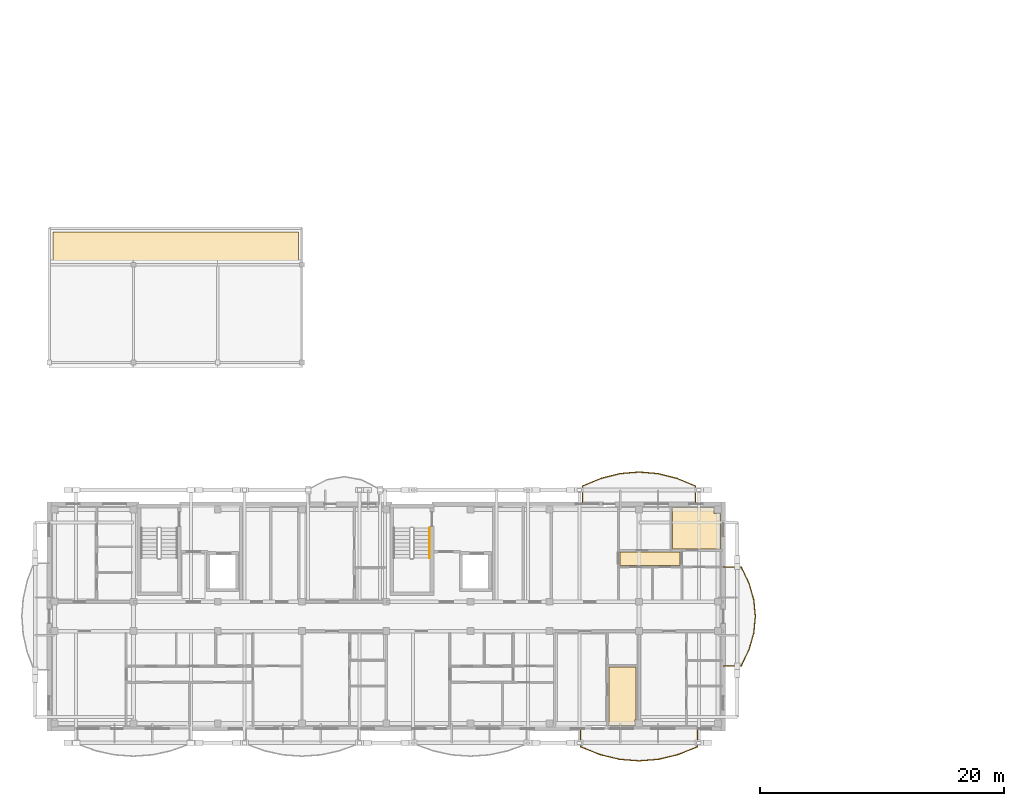
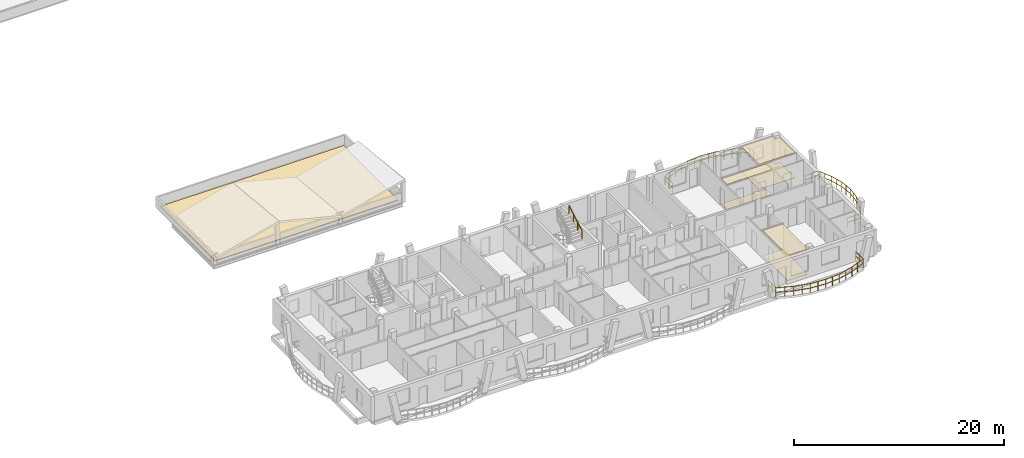
# One storey, part 41 of 50: 7 coverings, 4 railings.
"""IFC4 building model written with IfcOpenShell, lengths in metres."""

from ifc_helpers import new_model, si_unit, direction, frame, origin, origin_2d, place, context, subcontext, project, spatial, polyline, rectangle, outline, extrude, material, layer, layer_set, type_object, element, save


model = new_model("IFC4")

# Units and contexts
model_context = context("Model", 3, precision=1e-05, world=origin(), true_north=direction((0.0, 1.0)))
body_context = subcontext(model_context, "Body", "Model", "MODEL_VIEW")
ifc_project = project(units=[si_unit("LENGTHUNIT", "METRE"), si_unit("AREAUNIT", "SQUARE_METRE"), si_unit("VOLUMEUNIT", "CUBIC_METRE"), si_unit("PLANEANGLEUNIT", "RADIAN"), si_unit("MASSUNIT", "GRAM", prefix="KILO")], contexts=[model_context])

# Site, building, storey
site_placement = place(None, origin())
site = spatial("IfcSite", under=ifc_project, at=site_placement, CompositionType="ELEMENT")
building_placement = place(site_placement, origin())
building = spatial("IfcBuilding", under=site, at=building_placement, Name="Zavelmont Quarter", CompositionType="ELEMENT")
storey_placement = place(building_placement, frame((0.0, 0.0, 11.199951171875)))
storey = spatial("IfcBuildingStorey", under=building, at=storey_placement, Name="L03", CompositionType="ELEMENT", Elevation=11.199951171875)

# Coverings
ifc_material_1 = material(Name="Perforated acoustic gypsum board")
ifc_layer_1 = layer(ifc_material_1, 0.02490234375)
ifc_layer_set_1 = layer_set([ifc_layer_1], Name="Perforated acoustic gypsum board")
covering_type_1 = type_object("IfcCoveringType", Name="CV-CL01", PredefinedType="CEILING", material=ifc_layer_set_1)
covering_1_placement = place(storey_placement, frame((0.0, 0.0, 2.9150390625)))
element("IfcCovering", 1, at=covering_1_placement, inside=storey, type_object=covering_type_1, Name="L03 Reading Alcove acoustic ceiling", PredefinedType="CEILING", context=body_context, shape_type="SweptSolid", body=[
    extrude(outline(polyline([(45.830078125, 5.070068359375), (48.070068359375, 5.070068359375), (48.070068359375, 0.7548828125), (47.985107421875, 0.7548828125), (47.985107421875, 0.280029296875), (45.830078125, 0.280029296875), (45.830078125, 5.070068359375)])), origin(), (0.0, 0.0, 1.0), 0.02490234375),
])
covering_2_placement = place(storey_placement, frame((0.0, 0.0, 2.9150390625)))
element("IfcCovering", 2, at=covering_2_placement, inside=storey, type_object=covering_type_1, Name="L03 Double Bedroom acoustic ceiling", PredefinedType="CEILING", context=body_context, shape_type="SweptSolid", body=[
    extrude(outline(polyline([(51.030029296875, 18.1201171875), (54.445068359375, 18.1201171875), (54.445068359375, 17.64501953125), (54.969970703125, 17.64501953125), (54.969970703125, 14.72998046875), (51.030029296875, 14.72998046875), (51.030029296875, 18.1201171875)])), origin(), (0.0, 0.0, 1.0), 0.02490234375),
])
ifc_material_2 = material(Name="Slatted European ash acoustic baffle ceiling")
ifc_layer_2 = layer(ifc_material_2, 0.0400390625)
ifc_layer_set_2 = layer_set([ifc_layer_2], Name="Slatted European ash acoustic baffle ceiling")
covering_type_2 = type_object("IfcCoveringType", Name="CV-CL02", PredefinedType="CEILING", material=ifc_layer_set_2)
covering_3_placement = place(storey_placement, frame((0.0, 0.0, 2.900146484375)))
element("IfcCovering", 3, at=covering_3_placement, inside=storey, type_object=covering_type_2, Name="L03 Apartment Hall acoustic ceiling", PredefinedType="CEILING", context=body_context, shape_type="SweptSolid", body=[
    extrude(outline(polyline([(46.72998046875, 14.469970703125), (51.669921875, 14.469970703125), (51.669921875, 13.3798828125), (46.72998046875, 13.3798828125), (46.72998046875, 14.469970703125)])), origin(), (0.0, 0.0, 1.0), 0.039794921875),
])
ifc_material_3 = material(Name="Engineered European oak parquet")
ifc_layer_3 = layer(ifc_material_3, 0.02197265625)
ifc_layer_set_3 = layer_set([ifc_layer_3], Name="Engineered European oak parquet")
covering_type_3 = type_object("IfcCoveringType", Name="CV-FL01", PredefinedType="FLOORING", material=ifc_layer_set_3)
covering_4_placement = place(storey_placement, origin())
element("IfcCovering", 4, at=covering_4_placement, inside=storey, type_object=covering_type_3, Name="L03 Reading Alcove floor finish", PredefinedType="FLOORING", context=body_context, shape_type="SweptSolid", body=[
    extrude(outline(polyline([(45.830078125, 5.070068359375), (48.070068359375, 5.070068359375), (48.070068359375, 0.7548828125), (47.985107421875, 0.7548828125), (47.985107421875, 0.280029296875), (45.830078125, 0.280029296875), (45.830078125, 5.070068359375)])), origin(), (0.0, 0.0, 1.0), 0.02197265625),
])
covering_5_placement = place(storey_placement, origin())
element("IfcCovering", 5, at=covering_5_placement, inside=storey, type_object=covering_type_3, Name="L03 Double Bedroom floor finish", PredefinedType="FLOORING", context=body_context, shape_type="SweptSolid", body=[
    extrude(outline(polyline([(51.030029296875, 18.1201171875), (54.445068359375, 18.1201171875), (54.445068359375, 17.64501953125), (54.969970703125, 17.64501953125), (54.969970703125, 14.72998046875), (51.030029296875, 14.72998046875), (51.030029296875, 18.1201171875)])), origin(), (0.0, 0.0, 1.0), 0.02197265625),
])
ifc_material_4 = material(Name="Honed Belgian bluestone tile", Category="masonry")
ifc_layer_4 = layer(ifc_material_4, 0.030029296875)
ifc_layer_set_4 = layer_set([ifc_layer_4], Name="Honed Belgian bluestone tile")
covering_type_4 = type_object("IfcCoveringType", Name="CV-FL02", PredefinedType="FLOORING", material=ifc_layer_set_4)
covering_6_placement = place(storey_placement, origin())
element("IfcCovering", 6, at=covering_6_placement, inside=storey, type_object=covering_type_4, Name="L03 Apartment Hall floor finish", PredefinedType="FLOORING", context=body_context, shape_type="SweptSolid", body=[
    extrude(outline(polyline([(46.72998046875, 14.469970703125), (51.669921875, 14.469970703125), (51.669921875, 13.3798828125), (46.72998046875, 13.3798828125), (46.72998046875, 14.469970703125)])), origin(), (0.0, 0.0, 1.0), 0.030029296875),
])
ifc_material_5 = material(Name="EPDM waterproofing membrane and mineral insulation")
ifc_layer_5 = layer(ifc_material_5, 0.094970703125)
ifc_layer_set_5 = layer_set([ifc_layer_5], Name="EPDM waterproofing membrane and mineral insulation")
covering_type_5 = type_object("IfcCoveringType", Name="CV-RF04", PredefinedType="ROOFING", material=ifc_layer_set_5)
covering_7_placement = place(storey_placement, origin())
element("IfcCovering", 7, at=covering_7_placement, inside=storey, type_object=covering_type_5, Name="L03 roof build-up CV-RF04", PredefinedType="ROOFING", context=body_context, shape_type="SweptSolid", body=[
    extrude(outline(polyline([(0.300048828125, 30.300048828125), (20.39990234375, 30.300048828125), (20.39990234375, 40.699951171875), (0.300048828125, 40.699951171875), (0.300048828125, 30.300048828125)])), origin(), (0.0, 0.0, 1.0), 0.094970703125),
])

# Railings
ifc_material_6 = material(Name="Powder-coated steel and tempered double safety glass", Category="steel")
railing_type_1 = type_object("IfcRailingType", Name="RL-BAL1", PredefinedType="BALUSTRADE", material=ifc_material_6)
railing_1_placement = place(storey_placement, frame((43.5078125, -0.02001953125, 0.0)))
element("IfcRailing", 8, at=railing_1_placement, inside=storey, type_object=railing_type_1, Name="L03 Block A curved balcony guard RL-BAL1", PredefinedType="BALUSTRADE", context=body_context, shape_type="SweptSolid", body=[
    extrude(rectangle(XDim=0.048095703125, YDim=0.048095703125, at=origin_2d()), frame((0.0, 0.0, 1.076171875), z_axis=(0.0, -1.0, 0.0), x_axis=(1.0, 0.0, 0.0)), (0.0, 0.0, 1.0), 1.453857421875),
    extrude(rectangle(XDim=0.048095703125, YDim=0.048095703125, at=origin_2d()), frame((0.0, 0.0, 0.550048828125), z_axis=(0.0, -1.0, 0.0), x_axis=(1.0, 0.0, 0.0)), (0.0, 0.0, 1.0), 1.453857421875),
    extrude(rectangle(XDim=0.048095703125, YDim=0.048095703125, at=origin_2d()), frame((0.0, -1.453857421875, 1.076171875), z_axis=(0.92758417707, -0.373614232128, 0.0), x_axis=(0.373614232128, 0.92758417707, 0.0)), (0.0, 0.0, 1.0), 1.721923828125),
    extrude(rectangle(XDim=0.048095703125, YDim=0.048095703125, at=origin_2d()), frame((0.0, -1.453857421875, 0.550048828125), z_axis=(0.92758417707, -0.373614232128, 0.0), x_axis=(0.373614232128, 0.92758417707, 0.0)), (0.0, 0.0, 1.0), 1.721923828125),
    extrude(rectangle(XDim=0.048095703125, YDim=0.048095703125, at=origin_2d()), frame((1.59716796875, -2.09716796875, 1.076171875), z_axis=(0.972000372905, -0.234979307753, 0.0), x_axis=(0.234979307753, 0.972000372905, 0.0)), (0.0, 0.0, 1.0), 1.643798828125),
    extrude(rectangle(XDim=0.048095703125, YDim=0.048095703125, at=origin_2d()), frame((1.59716796875, -2.09716796875, 0.550048828125), z_axis=(0.972000372905, -0.234979307753, 0.0), x_axis=(0.234979307753, 0.972000372905, 0.0)), (0.0, 0.0, 1.0), 1.643798828125),
    extrude(rectangle(XDim=0.048095703125, YDim=0.048095703125, at=origin_2d()), frame((3.19482421875, -2.4833984375, 1.076171875), z_axis=(0.996772021854, -0.080284098352, 0.0), x_axis=(0.080284098352, 0.996772021854, 0.0)), (0.0, 0.0, 1.0), 1.6025390625),
    extrude(rectangle(XDim=0.048095703125, YDim=0.048095703125, at=origin_2d()), frame((3.19482421875, -2.4833984375, 0.550048828125), z_axis=(0.996772021854, -0.080284098352, 0.0), x_axis=(0.080284098352, 0.996772021854, 0.0)), (0.0, 0.0, 1.0), 1.6025390625),
    extrude(rectangle(XDim=0.048095703125, YDim=0.048095703125, at=origin_2d()), frame((4.792236328125, -2.612060546875, 1.076171875), z_axis=(0.996772021854, 0.080284098352, 0.0), x_axis=(-0.080284098352, 0.996772021854, 0.0)), (0.0, 0.0, 1.0), 1.6025390625),
    extrude(rectangle(XDim=0.048095703125, YDim=0.048095703125, at=origin_2d()), frame((4.792236328125, -2.612060546875, 0.550048828125), z_axis=(0.996772021854, 0.080284098352, 0.0), x_axis=(-0.080284098352, 0.996772021854, 0.0)), (0.0, 0.0, 1.0), 1.6025390625),
    extrude(rectangle(XDim=0.048095703125, YDim=0.048095703125, at=origin_2d()), frame((6.3896484375, -2.4833984375, 1.076171875), z_axis=(0.971992169835, 0.235013237457, 0.0), x_axis=(-0.235013237457, 0.971992169835, 0.0)), (0.0, 0.0, 1.0), 1.6435546875),
    extrude(rectangle(XDim=0.048095703125, YDim=0.048095703125, at=origin_2d()), frame((6.3896484375, -2.4833984375, 0.550048828125), z_axis=(0.971992169835, 0.235013237457, 0.0), x_axis=(-0.235013237457, 0.971992169835, 0.0)), (0.0, 0.0, 1.0), 1.6435546875),
    extrude(rectangle(XDim=0.048095703125, YDim=0.048095703125, at=origin_2d()), frame((7.987060546875, -2.09716796875, 1.076171875), z_axis=(0.927603965163, 0.373565099833, 0.0), x_axis=(-0.373565099833, 0.927603965163, 0.0)), (0.0, 0.0, 1.0), 1.72216796875),
    extrude(rectangle(XDim=0.048095703125, YDim=0.048095703125, at=origin_2d()), frame((7.987060546875, -2.09716796875, 0.550048828125), z_axis=(0.927603965163, 0.373565099833, 0.0), x_axis=(-0.373565099833, 0.927603965163, 0.0)), (0.0, 0.0, 1.0), 1.72216796875),
    extrude(rectangle(XDim=0.048095703125, YDim=0.048095703125, at=origin_2d()), frame((9.58447265625, -1.453857421875, 1.076171875), z_axis=(0.0, 1.0, 0.0), x_axis=(-1.0, 0.0, 0.0)), (0.0, 0.0, 1.0), 1.453857421875),
    extrude(rectangle(XDim=0.048095703125, YDim=0.048095703125, at=origin_2d()), frame((9.58447265625, -1.453857421875, 0.550048828125), z_axis=(0.0, 1.0, 0.0), x_axis=(-1.0, 0.0, 0.0)), (0.0, 0.0, 1.0), 1.453857421875),
    extrude(rectangle(XDim=0.0419921875, YDim=0.0419921875, at=origin_2d()), origin(), (0.0, 0.0, 1.0), 1.052001953125),
    extrude(rectangle(XDim=0.0419921875, YDim=0.0419921875, at=origin_2d()), frame((0.0, -0.72705078125, 0.0)), (0.0, 0.0, 1.0), 1.052001953125),
    extrude(rectangle(XDim=0.0419921875, YDim=0.0419921875, at=origin_2d()), frame((0.0, -1.453857421875, 0.0)), (0.0, 0.0, 1.0), 1.052001953125),
    extrude(rectangle(XDim=0.0419921875, YDim=0.0419921875, at=origin_2d()), frame((0.798583984375, -1.775390625, 0.0)), (0.0, 0.0, 1.0), 1.052001953125),
    extrude(rectangle(XDim=0.0419921875, YDim=0.0419921875, at=origin_2d()), frame((1.59716796875, -2.09716796875, 0.0)), (0.0, 0.0, 1.0), 1.052001953125),
    extrude(rectangle(XDim=0.0419921875, YDim=0.0419921875, at=origin_2d()), frame((2.39599609375, -2.290283203125, 0.0)), (0.0, 0.0, 1.0), 1.052001953125),
    extrude(rectangle(XDim=0.0419921875, YDim=0.0419921875, at=origin_2d()), frame((3.19482421875, -2.4833984375, 0.0)), (0.0, 0.0, 1.0), 1.052001953125),
    extrude(rectangle(XDim=0.0419921875, YDim=0.0419921875, at=origin_2d()), frame((3.99365234375, -2.5478515625, 0.0)), (0.0, 0.0, 1.0), 1.052001953125),
    extrude(rectangle(XDim=0.0419921875, YDim=0.0419921875, at=origin_2d()), frame((4.792236328125, -2.612060546875, 0.0)), (0.0, 0.0, 1.0), 1.052001953125),
    extrude(rectangle(XDim=0.0419921875, YDim=0.0419921875, at=origin_2d()), frame((5.5908203125, -2.5478515625, 0.0)), (0.0, 0.0, 1.0), 1.052001953125),
    extrude(rectangle(XDim=0.0419921875, YDim=0.0419921875, at=origin_2d()), frame((6.3896484375, -2.4833984375, 0.0)), (0.0, 0.0, 1.0), 1.052001953125),
    extrude(rectangle(XDim=0.0419921875, YDim=0.0419921875, at=origin_2d()), frame((7.1884765625, -2.290283203125, 0.0)), (0.0, 0.0, 1.0), 1.052001953125),
    extrude(rectangle(XDim=0.0419921875, YDim=0.0419921875, at=origin_2d()), frame((7.987060546875, -2.09716796875, 0.0)), (0.0, 0.0, 1.0), 1.052001953125),
    extrude(rectangle(XDim=0.0419921875, YDim=0.0419921875, at=origin_2d()), frame((8.78564453125, -1.775390625, 0.0)), (0.0, 0.0, 1.0), 1.052001953125),
    extrude(rectangle(XDim=0.0419921875, YDim=0.0419921875, at=origin_2d()), frame((9.58447265625, -1.453857421875, 0.0)), (0.0, 0.0, 1.0), 1.052001953125),
    extrude(rectangle(XDim=0.0419921875, YDim=0.0419921875, at=origin_2d()), frame((9.58447265625, -0.72705078125, 0.0)), (0.0, 0.0, 1.0), 1.052001953125),
    extrude(rectangle(XDim=0.0419921875, YDim=0.0419921875, at=origin_2d()), frame((9.58447265625, 0.0, 0.0)), (0.0, 0.0, 1.0), 1.052001953125),
])
railing_2_placement = place(storey_placement, frame((55.219970703125, 5.14892578125, 0.0)))
element("IfcRailing", 9, at=railing_2_placement, inside=storey, type_object=railing_type_1, Name="L03 Block A curved balcony guard RL-BAL1", PredefinedType="BALUSTRADE", context=body_context, shape_type="SweptSolid", body=[
    extrude(rectangle(XDim=0.048095703125, YDim=0.048095703125, at=origin_2d()), frame((0.0, 0.0, 1.076171875), z_axis=(1.0, 0.0, 0.0), x_axis=(0.0, 1.0, 0.0)), (0.0, 0.0, 1.0), 1.453857421875),
    extrude(rectangle(XDim=0.048095703125, YDim=0.048095703125, at=origin_2d()), frame((0.0, 0.0, 0.550048828125), z_axis=(1.0, 0.0, 0.0), x_axis=(0.0, 1.0, 0.0)), (0.0, 0.0, 1.0), 1.453857421875),
    extrude(rectangle(XDim=0.048095703125, YDim=0.048095703125, at=origin_2d()), frame((1.453857421875, 0.0, 1.076171875), z_axis=(0.430224985195, 0.902721696933, 0.0), x_axis=(-0.902721696933, 0.430224985195, 0.0)), (0.0, 0.0, 1.0), 1.495849609375),
    extrude(rectangle(XDim=0.048095703125, YDim=0.048095703125, at=origin_2d()), frame((1.453857421875, 0.0, 0.550048828125), z_axis=(0.430224985195, 0.902721696933, 0.0), x_axis=(-0.902721696933, 0.430224985195, 0.0)), (0.0, 0.0, 1.0), 1.495849609375),
    extrude(rectangle(XDim=0.048095703125, YDim=0.048095703125, at=origin_2d()), frame((2.097412109375, 1.350341796875, 1.076171875), z_axis=(0.274835923802, 0.961491141398, 0.0), x_axis=(-0.961491141398, 0.274835923802, 0.0)), (0.0, 0.0, 1.0), 1.404541015625),
    extrude(rectangle(XDim=0.048095703125, YDim=0.048095703125, at=origin_2d()), frame((2.097412109375, 1.350341796875, 0.550048828125), z_axis=(0.274835923802, 0.961491141398, 0.0), x_axis=(-0.961491141398, 0.274835923802, 0.0)), (0.0, 0.0, 1.0), 1.404541015625),
    extrude(rectangle(XDim=0.048095703125, YDim=0.048095703125, at=origin_2d()), frame((2.4833984375, 2.70068359375, 1.076171875), z_axis=(0.094851560673, 0.995491427104, 0.0), x_axis=(-0.995491427104, 0.094851560673, 0.0)), (0.0, 0.0, 1.0), 1.3564453125),
    extrude(rectangle(XDim=0.048095703125, YDim=0.048095703125, at=origin_2d()), frame((2.4833984375, 2.70068359375, 0.550048828125), z_axis=(0.094851560673, 0.995491427104, 0.0), x_axis=(-0.995491427104, 0.094851560673, 0.0)), (0.0, 0.0, 1.0), 1.3564453125),
    extrude(rectangle(XDim=0.048095703125, YDim=0.048095703125, at=origin_2d()), frame((2.612060546875, 4.051025390625, 1.076171875), z_axis=(-0.094851560673, 0.995491427104, 0.0), x_axis=(-0.995491427104, -0.094851560673, 0.0)), (0.0, 0.0, 1.0), 1.3564453125),
    extrude(rectangle(XDim=0.048095703125, YDim=0.048095703125, at=origin_2d()), frame((2.612060546875, 4.051025390625, 0.550048828125), z_axis=(-0.094851560673, 0.995491427104, 0.0), x_axis=(-0.995491427104, -0.094851560673, 0.0)), (0.0, 0.0, 1.0), 1.3564453125),
    extrude(rectangle(XDim=0.048095703125, YDim=0.048095703125, at=origin_2d()), frame((2.4833984375, 5.4013671875, 1.076171875), z_axis=(-0.274835923802, 0.961491141398, 0.0), x_axis=(-0.961491141398, -0.274835923802, 0.0)), (0.0, 0.0, 1.0), 1.404541015625),
    extrude(rectangle(XDim=0.048095703125, YDim=0.048095703125, at=origin_2d()), frame((2.4833984375, 5.4013671875, 0.550048828125), z_axis=(-0.274835923802, 0.961491141398, 0.0), x_axis=(-0.961491141398, -0.274835923802, 0.0)), (0.0, 0.0, 1.0), 1.404541015625),
    extrude(rectangle(XDim=0.048095703125, YDim=0.048095703125, at=origin_2d()), frame((2.097412109375, 6.751708984375, 1.076171875), z_axis=(-0.430224985195, 0.902721696933, 0.0), x_axis=(-0.902721696933, -0.430224985195, 0.0)), (0.0, 0.0, 1.0), 1.495849609375),
    extrude(rectangle(XDim=0.048095703125, YDim=0.048095703125, at=origin_2d()), frame((2.097412109375, 6.751708984375, 0.550048828125), z_axis=(-0.430224985195, 0.902721696933, 0.0), x_axis=(-0.902721696933, -0.430224985195, 0.0)), (0.0, 0.0, 1.0), 1.495849609375),
    extrude(rectangle(XDim=0.048095703125, YDim=0.048095703125, at=origin_2d()), frame((1.453857421875, 8.10205078125, 1.076171875), z_axis=(-1.0, 0.0, 0.0), x_axis=(0.0, -1.0, 0.0)), (0.0, 0.0, 1.0), 1.453857421875),
    extrude(rectangle(XDim=0.048095703125, YDim=0.048095703125, at=origin_2d()), frame((1.453857421875, 8.10205078125, 0.550048828125), z_axis=(-1.0, 0.0, 0.0), x_axis=(0.0, -1.0, 0.0)), (0.0, 0.0, 1.0), 1.453857421875),
    extrude(rectangle(XDim=0.0419921875, YDim=0.0419921875, at=origin_2d()), origin(), (0.0, 0.0, 1.0), 1.052001953125),
    extrude(rectangle(XDim=0.0419921875, YDim=0.0419921875, at=origin_2d()), frame((0.72705078125, 0.0, 0.0)), (0.0, 0.0, 1.0), 1.052001953125),
    extrude(rectangle(XDim=0.0419921875, YDim=0.0419921875, at=origin_2d()), frame((1.453857421875, 0.0, 0.0)), (0.0, 0.0, 1.0), 1.052001953125),
    extrude(rectangle(XDim=0.0419921875, YDim=0.0419921875, at=origin_2d()), frame((1.775634765625, 0.67529296875, 0.0)), (0.0, 0.0, 1.0), 1.052001953125),
    extrude(rectangle(XDim=0.0419921875, YDim=0.0419921875, at=origin_2d()), frame((2.097412109375, 1.350341796875, 0.0)), (0.0, 0.0, 1.0), 1.052001953125),
    extrude(rectangle(XDim=0.0419921875, YDim=0.0419921875, at=origin_2d()), frame((2.29052734375, 2.025390625, 0.0)), (0.0, 0.0, 1.0), 1.052001953125),
    extrude(rectangle(XDim=0.0419921875, YDim=0.0419921875, at=origin_2d()), frame((2.4833984375, 2.70068359375, 0.0)), (0.0, 0.0, 1.0), 1.052001953125),
    extrude(rectangle(XDim=0.0419921875, YDim=0.0419921875, at=origin_2d()), frame((2.5478515625, 3.3759765625, 0.0)), (0.0, 0.0, 1.0), 1.052001953125),
    extrude(rectangle(XDim=0.0419921875, YDim=0.0419921875, at=origin_2d()), frame((2.612060546875, 4.051025390625, 0.0)), (0.0, 0.0, 1.0), 1.052001953125),
    extrude(rectangle(XDim=0.0419921875, YDim=0.0419921875, at=origin_2d()), frame((2.5478515625, 4.72607421875, 0.0)), (0.0, 0.0, 1.0), 1.052001953125),
    extrude(rectangle(XDim=0.0419921875, YDim=0.0419921875, at=origin_2d()), frame((2.4833984375, 5.4013671875, 0.0)), (0.0, 0.0, 1.0), 1.052001953125),
    extrude(rectangle(XDim=0.0419921875, YDim=0.0419921875, at=origin_2d()), frame((2.29052734375, 6.07666015625, 0.0)), (0.0, 0.0, 1.0), 1.052001953125),
    extrude(rectangle(XDim=0.0419921875, YDim=0.0419921875, at=origin_2d()), frame((2.097412109375, 6.751708984375, 0.0)), (0.0, 0.0, 1.0), 1.052001953125),
    extrude(rectangle(XDim=0.0419921875, YDim=0.0419921875, at=origin_2d()), frame((1.775634765625, 7.4267578125, 0.0)), (0.0, 0.0, 1.0), 1.052001953125),
    extrude(rectangle(XDim=0.0419921875, YDim=0.0419921875, at=origin_2d()), frame((1.453857421875, 8.10205078125, 0.0)), (0.0, 0.0, 1.0), 1.052001953125),
    extrude(rectangle(XDim=0.0419921875, YDim=0.0419921875, at=origin_2d()), frame((0.72705078125, 8.10205078125, 0.0)), (0.0, 0.0, 1.0), 1.052001953125),
    extrude(rectangle(XDim=0.0419921875, YDim=0.0419921875, at=origin_2d()), frame((0.0, 8.10205078125, 0.0)), (0.0, 0.0, 1.0), 1.052001953125),
])
railing_3_placement = place(storey_placement, frame((52.938720703125, 18.419921875, 0.0)))
element("IfcRailing", 10, at=railing_3_placement, inside=storey, type_object=railing_type_1, Name="L03 Block A curved balcony guard RL-BAL1", PredefinedType="BALUSTRADE", context=body_context, shape_type="SweptSolid", body=[
    extrude(rectangle(XDim=0.048095703125, YDim=0.048095703125, at=origin_2d()), frame((0.0, 0.0, 1.076171875), z_axis=(0.0, 1.0, 0.0), x_axis=(-1.0, 0.0, 0.0)), (0.0, 0.0, 1.0), 1.453857421875),
    extrude(rectangle(XDim=0.048095703125, YDim=0.048095703125, at=origin_2d()), frame((0.0, 0.0, 0.550048828125), z_axis=(0.0, 1.0, 0.0), x_axis=(-1.0, 0.0, 0.0)), (0.0, 0.0, 1.0), 1.453857421875),
    extrude(rectangle(XDim=0.048095703125, YDim=0.048095703125, at=origin_2d()), frame((0.0, 1.453857421875, 1.076171875), z_axis=(-0.923219188604, 0.384273769329, 0.0), x_axis=(-0.384273769329, -0.923219188604, 0.0)), (0.0, 0.0, 1.0), 1.6748046875),
    extrude(rectangle(XDim=0.048095703125, YDim=0.048095703125, at=origin_2d()), frame((0.0, 1.453857421875, 0.550048828125), z_axis=(-0.923219188604, 0.384273769329, 0.0), x_axis=(-0.384273769329, -0.923219188604, 0.0)), (0.0, 0.0, 1.0), 1.6748046875),
    extrude(rectangle(XDim=0.048095703125, YDim=0.048095703125, at=origin_2d()), frame((-1.546142578125, 2.097412109375, 1.076171875), z_axis=(-0.970232538188, 0.242175188329, 0.0), x_axis=(-0.242175188329, -0.970232538188, 0.0)), (0.0, 0.0, 1.0), 1.59375),
    extrude(rectangle(XDim=0.048095703125, YDim=0.048095703125, at=origin_2d()), frame((-1.546142578125, 2.097412109375, 0.550048828125), z_axis=(-0.970232538188, 0.242175188329, 0.0), x_axis=(-0.242175188329, -0.970232538188, 0.0)), (0.0, 0.0, 1.0), 1.59375),
    extrude(rectangle(XDim=0.048095703125, YDim=0.048095703125, at=origin_2d()), frame((-3.092529296875, 2.4833984375, 1.076171875), z_axis=(-0.996555518472, 0.082928273841, 0.0), x_axis=(-0.082928273841, -0.996555518472, 0.0)), (0.0, 0.0, 1.0), 1.551513671875),
    extrude(rectangle(XDim=0.048095703125, YDim=0.048095703125, at=origin_2d()), frame((-3.092529296875, 2.4833984375, 0.550048828125), z_axis=(-0.996555518472, 0.082928273841, 0.0), x_axis=(-0.082928273841, -0.996555518472, 0.0)), (0.0, 0.0, 1.0), 1.551513671875),
    extrude(rectangle(XDim=0.048095703125, YDim=0.048095703125, at=origin_2d()), frame((-4.638671875, 2.612060546875, 1.076171875), z_axis=(-0.996556600392, -0.082915271299, 0.0), x_axis=(0.082915271299, -0.996556600392, 0.0)), (0.0, 0.0, 1.0), 1.5517578125),
    extrude(rectangle(XDim=0.048095703125, YDim=0.048095703125, at=origin_2d()), frame((-4.638671875, 2.612060546875, 0.550048828125), z_axis=(-0.996556600392, -0.082915271299, 0.0), x_axis=(0.082915271299, -0.996556600392, 0.0)), (0.0, 0.0, 1.0), 1.5517578125),
    extrude(rectangle(XDim=0.048095703125, YDim=0.048095703125, at=origin_2d()), frame((-6.18505859375, 2.4833984375, 1.076171875), z_axis=(-0.970223552447, -0.242211185286, 0.0), x_axis=(0.242211185286, -0.970223552447, 0.0)), (0.0, 0.0, 1.0), 1.593505859375),
    extrude(rectangle(XDim=0.048095703125, YDim=0.048095703125, at=origin_2d()), frame((-6.18505859375, 2.4833984375, 0.550048828125), z_axis=(-0.970223552447, -0.242211185286, 0.0), x_axis=(0.242211185286, -0.970223552447, 0.0)), (0.0, 0.0, 1.0), 1.593505859375),
    extrude(rectangle(XDim=0.048095703125, YDim=0.048095703125, at=origin_2d()), frame((-7.731201171875, 2.097412109375, 1.076171875), z_axis=(-0.923240710927, -0.384222057784, 0.0), x_axis=(0.384222057784, -0.923240710927, 0.0)), (0.0, 0.0, 1.0), 1.675048828125),
    extrude(rectangle(XDim=0.048095703125, YDim=0.048095703125, at=origin_2d()), frame((-7.731201171875, 2.097412109375, 0.550048828125), z_axis=(-0.923240710927, -0.384222057784, 0.0), x_axis=(0.384222057784, -0.923240710927, 0.0)), (0.0, 0.0, 1.0), 1.675048828125),
    extrude(rectangle(XDim=0.048095703125, YDim=0.048095703125, at=origin_2d()), frame((-9.277587890625, 1.453857421875, 1.076171875), z_axis=(0.0, -1.0, 0.0), x_axis=(1.0, 0.0, 0.0)), (0.0, 0.0, 1.0), 1.453857421875),
    extrude(rectangle(XDim=0.048095703125, YDim=0.048095703125, at=origin_2d()), frame((-9.277587890625, 1.453857421875, 0.550048828125), z_axis=(0.0, -1.0, 0.0), x_axis=(1.0, 0.0, 0.0)), (0.0, 0.0, 1.0), 1.453857421875),
    extrude(rectangle(XDim=0.0419921875, YDim=0.0419921875, at=origin_2d()), origin(), (0.0, 0.0, 1.0), 1.052001953125),
    extrude(rectangle(XDim=0.0419921875, YDim=0.0419921875, at=origin_2d()), frame((0.0, 0.72705078125, 0.0)), (0.0, 0.0, 1.0), 1.052001953125),
    extrude(rectangle(XDim=0.0419921875, YDim=0.0419921875, at=origin_2d()), frame((0.0, 1.453857421875, 0.0)), (0.0, 0.0, 1.0), 1.052001953125),
    extrude(rectangle(XDim=0.0419921875, YDim=0.0419921875, at=origin_2d()), frame((-0.77294921875, 1.775634765625, 0.0)), (0.0, 0.0, 1.0), 1.052001953125),
    extrude(rectangle(XDim=0.0419921875, YDim=0.0419921875, at=origin_2d()), frame((-1.546142578125, 2.097412109375, 0.0)), (0.0, 0.0, 1.0), 1.052001953125),
    extrude(rectangle(XDim=0.0419921875, YDim=0.0419921875, at=origin_2d()), frame((-2.3193359375, 2.29052734375, 0.0)), (0.0, 0.0, 1.0), 1.052001953125),
    extrude(rectangle(XDim=0.0419921875, YDim=0.0419921875, at=origin_2d()), frame((-3.092529296875, 2.4833984375, 0.0)), (0.0, 0.0, 1.0), 1.052001953125),
    extrude(rectangle(XDim=0.0419921875, YDim=0.0419921875, at=origin_2d()), frame((-3.86572265625, 2.5478515625, 0.0)), (0.0, 0.0, 1.0), 1.052001953125),
    extrude(rectangle(XDim=0.0419921875, YDim=0.0419921875, at=origin_2d()), frame((-4.638671875, 2.612060546875, 0.0)), (0.0, 0.0, 1.0), 1.052001953125),
    extrude(rectangle(XDim=0.0419921875, YDim=0.0419921875, at=origin_2d()), frame((-5.411865234375, 2.5478515625, 0.0)), (0.0, 0.0, 1.0), 1.052001953125),
    extrude(rectangle(XDim=0.0419921875, YDim=0.0419921875, at=origin_2d()), frame((-6.18505859375, 2.4833984375, 0.0)), (0.0, 0.0, 1.0), 1.052001953125),
    extrude(rectangle(XDim=0.0419921875, YDim=0.0419921875, at=origin_2d()), frame((-6.9580078125, 2.29052734375, 0.0)), (0.0, 0.0, 1.0), 1.052001953125),
    extrude(rectangle(XDim=0.0419921875, YDim=0.0419921875, at=origin_2d()), frame((-7.731201171875, 2.097412109375, 0.0)), (0.0, 0.0, 1.0), 1.052001953125),
    extrude(rectangle(XDim=0.0419921875, YDim=0.0419921875, at=origin_2d()), frame((-8.50439453125, 1.775634765625, 0.0)), (0.0, 0.0, 1.0), 1.052001953125),
    extrude(rectangle(XDim=0.0419921875, YDim=0.0419921875, at=origin_2d()), frame((-9.277587890625, 1.453857421875, 0.0)), (0.0, 0.0, 1.0), 1.052001953125),
    extrude(rectangle(XDim=0.0419921875, YDim=0.0419921875, at=origin_2d()), frame((-9.277587890625, 0.72705078125, 0.0)), (0.0, 0.0, 1.0), 1.052001953125),
    extrude(rectangle(XDim=0.0419921875, YDim=0.0419921875, at=origin_2d()), frame((-9.277587890625, 0.0, 0.0)), (0.0, 0.0, 1.0), 1.052001953125),
])
ifc_material_7 = material(Name="Brushed stainless-steel wall handrail", Category="steel")
railing_type_2 = type_object("IfcRailingType", Name="RL-HND1", PredefinedType="HANDRAIL", material=ifc_material_7)
railing_4_placement = place(storey_placement, frame((31.14990234375, 13.969970703125, 1.77783203125)))
element("IfcRailing", 11, at=railing_4_placement, inside=storey, type_object=railing_type_2, Name="L03 ST02 stair handrail 2", PredefinedType="HANDRAIL", context=body_context, shape_type="SweptSolid", body=[
    extrude(rectangle(XDim=0.048095703125, YDim=0.048095703125, at=origin_2d()), frame((0.0, 0.0, 0.8759765625), z_axis=(0.0, 0.867490628297, 0.497453525283), x_axis=(-1.0, 0.0, 0.0)), (0.0, 0.0, 1.0), 2.85888671875),
    extrude(rectangle(XDim=0.0419921875, YDim=0.0419921875, at=origin_2d()), origin(), (0.0, 0.0, 1.0), 0.851806640625),
    extrude(rectangle(XDim=0.0419921875, YDim=0.0419921875, at=origin_2d()), frame((0.0, 0.82666015625, 0.47412109375)), (0.0, 0.0, 1.0), 0.851806640625),
    extrude(rectangle(XDim=0.0419921875, YDim=0.0419921875, at=origin_2d()), frame((0.0, 1.6533203125, 0.947998046875)), (0.0, 0.0, 1.0), 0.851806640625),
    extrude(rectangle(XDim=0.0419921875, YDim=0.0419921875, at=origin_2d()), frame((0.0, 2.47998046875, 1.422119140625)), (0.0, 0.0, 1.0), 0.851806640625),
])

save(model, "model.ifc")
